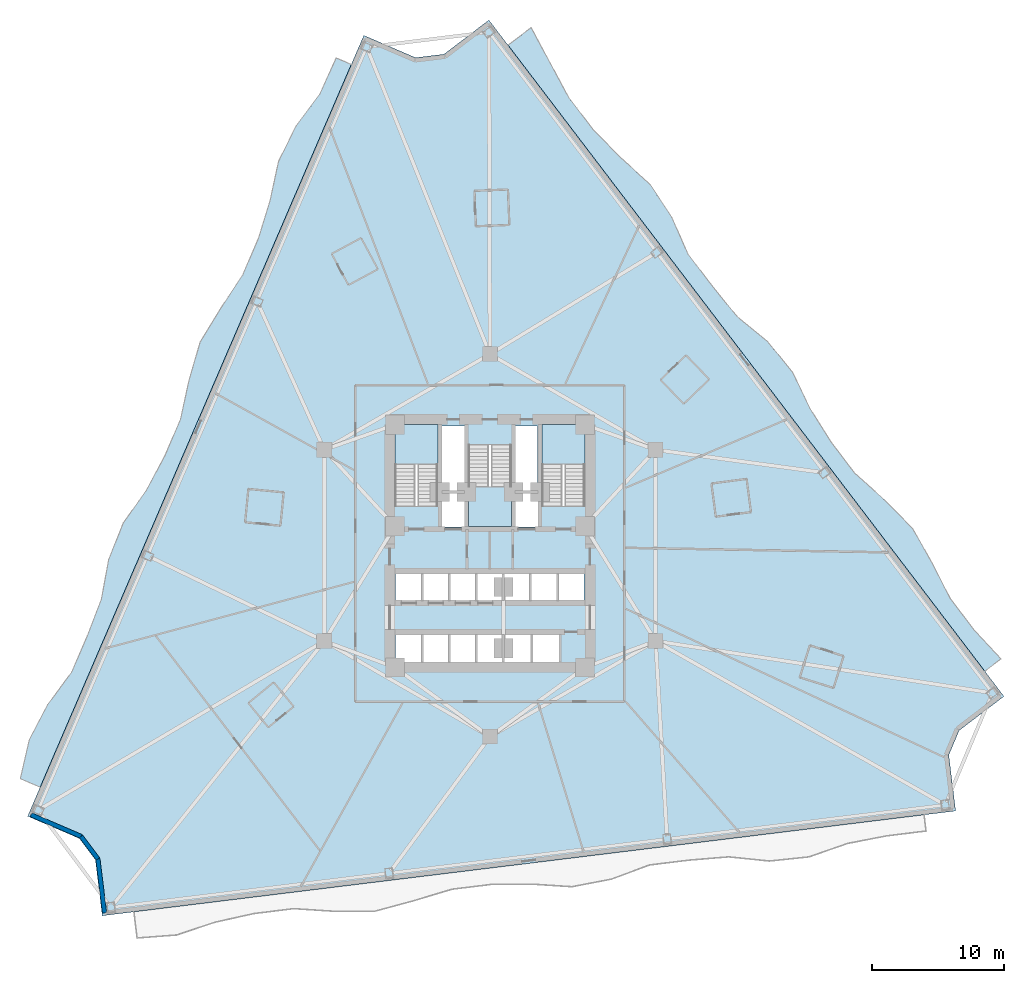
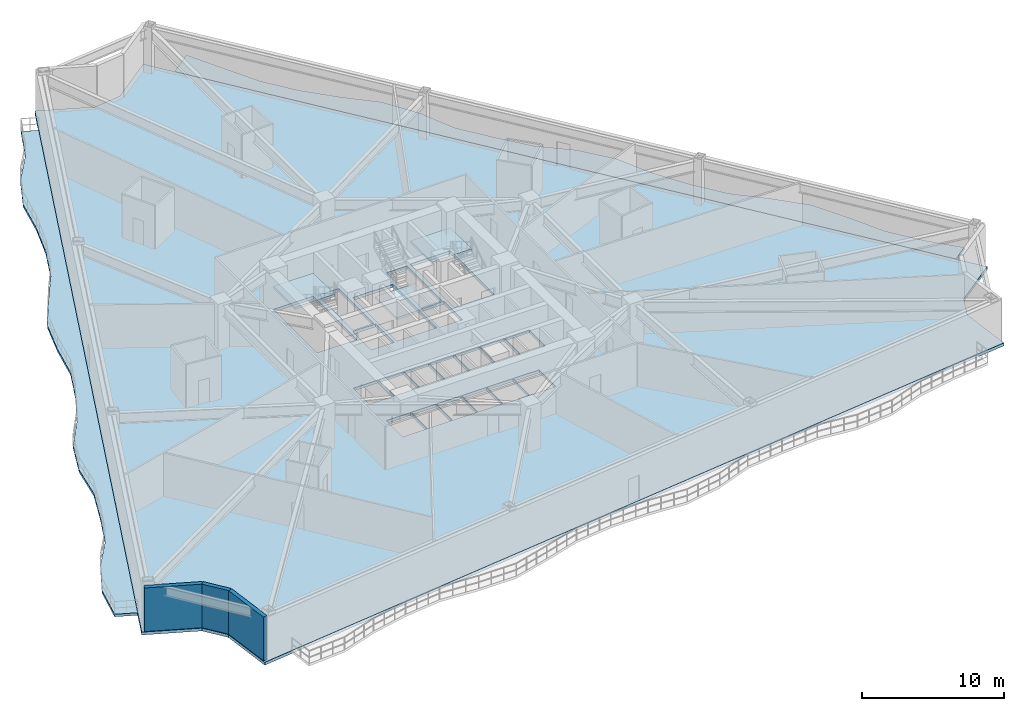
# One storey, part 2 of 13: 6 slabs, 3 walls, 3 elements without a shape of their own.
"""IFC4 building model written with IfcOpenShell, lengths in metres."""

from ifc_helpers import new_model, si_unit, direction, frame, frame_2d, origin, place, context, subcontext, project, spatial, polyline, rectangle, outline, extrude, material, layer, layer_set, type_object, element, aggregate, save


model = new_model("IFC4")

# Units and contexts
model_context = context("Model", 3, precision=1e-05, world=origin(), true_north=direction((0.0, 1.0)))
body_context = subcontext(model_context, "Body", "Model", "MODEL_VIEW")
ifc_project = project(units=[si_unit("LENGTHUNIT", "METRE"), si_unit("AREAUNIT", "SQUARE_METRE"), si_unit("VOLUMEUNIT", "CUBIC_METRE"), si_unit("PLANEANGLEUNIT", "RADIAN"), si_unit("MASSUNIT", "GRAM", prefix="KILO")], contexts=[model_context])

# Site, building, storey
site_placement = place(None, origin())
site = spatial("IfcSite", under=ifc_project, at=site_placement, CompositionType="ELEMENT")
building_placement = place(site_placement, origin())
building = spatial("IfcBuilding", under=site, at=building_placement, Name="Apsidion Concourse Tower", CompositionType="ELEMENT")
storey_placement = place(building_placement, frame((0.0, 0.0, 67.0)))
storey = spatial("IfcBuildingStorey", under=building, at=storey_placement, Name="L14", CompositionType="ELEMENT", Elevation=67.0)

# Slabs
ifc_material_1 = material(Name="Concrete C50/60", Category="concrete")
ifc_layer_1 = layer(ifc_material_1, 0.219970703125)
ifc_layer_set_1 = layer_set([ifc_layer_1], Name="Concrete C50/60")
slab_type_1 = type_object("IfcSlabType", Name="SL-BAL-220", PredefinedType="FLOOR", material=ifc_layer_set_1)
slab_1_placement = place(storey_placement, frame((0.0, 0.0, -0.219970703125)))
element("IfcSlab", 1, at=slab_1_placement, inside=storey, type_object=slab_type_1, Name="L14 Face 1 Rippling Balcony Slab", PredefinedType="FLOOR", context=body_context, shape_type="SweptSolid", body=[
    extrude(outline(polyline([(-10.510986328125, 36.466796875), (-11.690673828125, 33.726806640625), (-12.8701171875, 30.987060546875), (-14.049560546875, 28.247314453125), (-15.22900390625, 25.50732421875), (-16.40869140625, 22.767578125), (-17.588134765625, 20.02783203125), (-18.767578125, 17.2880859375), (-19.947021484375, 14.548095703125), (-21.126708984375, 11.808349609375), (-22.30615234375, 9.068603515625), (-23.485595703125, 6.32861328125), (-24.6650390625, 3.5888671875), (-25.844482421875, 0.84912109375), (-27.024169921875, -1.890869140625), (-28.20361328125, -4.630615234375), (-29.383056640625, -7.370361328125), (-30.5625, -10.110107421875), (-31.7421875, -12.85009765625), (-32.921630859375, -15.58984375), (-34.10107421875, -18.32958984375), (-35.6044921875, -17.682373046875), (-34.92138671875, -14.72900390625), (-33.533935546875, -12.07861328125), (-31.710693359375, -9.615966796875), (-30.53125, -6.876220703125), (-29.455322265625, -4.091796875), (-28.90771484375, -1.079833984375), (-27.7978515625, 1.68994140625), (-26.040771484375, 4.18115234375), (-24.6337890625, 6.822998046875), (-23.4541015625, 9.562744140625), (-22.8115234375, 12.53369140625), (-21.966796875, 15.417724609375), (-20.3935546875, 17.988037109375), (-18.736083984375, 20.522216796875), (-17.556640625, 23.261962890625), (-16.668701171875, 26.127197265625), (-16.029296875, 29.099609375), (-14.710205078125, 31.779296875), (-12.882080078125, 34.23974609375), (-11.6591796875, 36.9609375), (-10.510986328125, 36.466796875)])), origin(), (0.0, 0.0, 1.0), 0.219970703125),
])
slab_2_placement = place(storey_placement, frame((0.0, 0.0, -0.219970703125)))
element("IfcSlab", 2, at=slab_2_placement, inside=storey, type_object=slab_type_1, Name="L14 Face 3 Rippling Balcony Slab", PredefinedType="FLOOR", context=body_context, shape_type="SweptSolid", body=[
    extrude(outline(polyline([(37.5224609375, -9.535400390625), (35.715087890625, -7.162353515625), (33.907958984375, -4.789306640625), (32.1005859375, -2.416015625), (30.29345703125, -0.04296875), (28.486083984375, 2.330078125), (26.6787109375, 4.703125), (24.87158203125, 7.076171875), (23.064208984375, 9.44921875), (21.2568359375, 11.822509765625), (19.44970703125, 14.195556640625), (17.642333984375, 16.568603515625), (15.835205078125, 18.941650390625), (14.02783203125, 21.314697265625), (12.220458984375, 23.687744140625), (10.4130859375, 26.060791015625), (8.60595703125, 28.43408203125), (6.798583984375, 30.80712890625), (4.991455078125, 33.18017578125), (3.18408203125, 35.55322265625), (1.376708984375, 37.926513671875), (3.122314453125, 39.255859375), (4.552734375, 36.595703125), (5.98583984375, 33.9375), (7.793212890625, 31.564453125), (9.894287109375, 29.415283203125), (12.1416015625, 27.377197265625), (13.783447265625, 24.878173828125), (15.022216796875, 22.072021484375), (16.82958984375, 19.698974609375), (18.71337890625, 17.38427734375), (21.072021484375, 15.43115234375), (22.955078125, 13.115478515625), (24.26953125, 10.3671875), (25.865966796875, 7.83349609375), (27.673095703125, 5.46044921875), (29.93310546875, 3.431884765625), (32.04345703125, 1.289794921875), (33.52197265625, -1.33349609375), (34.90234375, -4.03173828125), (36.709716796875, -6.40478515625), (38.755615234375, -8.59619140625), (37.5224609375, -9.535400390625)])), origin(), (0.0, 0.0, 1.0), 0.219970703125),
])
ifc_layer_2 = layer(ifc_material_1, 0.25)
ifc_layer_set_2 = layer_set([ifc_layer_2], Name="Concrete C50/60")
slab_type_2 = type_object("IfcSlabType", Name="SL-FLR-250", PredefinedType="FLOOR", material=ifc_layer_set_2)
slab_3_placement = place(storey_placement, frame((0.0, 0.0, -0.25)))
element("IfcSlab", 3, at=slab_3_placement, inside=storey, type_object=slab_type_2, Name="L14 Structural Floor Slab", PredefinedType="FLOOR", context=body_context, shape_type="SweptSolid", body=[
    extrude(outline(polyline([(-0.077392578125, 39.835693359375), (-3.478271484375, 37.24560546875), (-5.6357421875, 36.980712890625), (-9.56201171875, 38.671142578125), (-35.050048828125, -20.5341796875), (-31.123779296875, -22.224365234375), (-29.914794921875, -23.83740234375), (-29.393798828125, -28.080078125), (35.313720703125, -20.13525390625), (34.792724609375, -15.89208984375), (35.57568359375, -14.03466796875), (38.9765625, -11.444580078125), (-0.077392578125, 39.835693359375)]), holes=[polyline([(-3.949951171875, 3.0), (-3.949951171875, 9.14990234375), (-7.199951171875, 9.14990234375), (-7.199951171875, 3.0), (-3.949951171875, 3.0)]), polyline([(7.199951171875, 3.0), (7.199951171875, 9.14990234375), (3.949951171875, 9.14990234375), (3.949951171875, 3.0), (7.199951171875, 3.0)]), polyline([(-1.625, 7.60009765625), (-1.625, 1.449951171875), (1.625, 1.449951171875), (1.625, 7.60009765625), (-1.625, 7.60009765625)]), polyline([(-7.14501953125, -4.300048828125), (-5.155029296875, -4.300048828125), (-5.155029296875, -2.050048828125), (-7.14501953125, -2.050048828125), (-7.14501953125, -4.300048828125)]), polyline([(-5.094970703125, -4.300048828125), (-3.10498046875, -4.300048828125), (-3.10498046875, -2.050048828125), (-5.094970703125, -2.050048828125), (-5.094970703125, -4.300048828125)]), polyline([(-3.044921875, -4.300048828125), (-1.054931640625, -4.300048828125), (-1.054931640625, -2.050048828125), (-3.044921875, -2.050048828125), (-3.044921875, -4.300048828125)]), polyline([(-0.9951171875, -4.300048828125), (0.9951171875, -4.300048828125), (0.9951171875, -2.050048828125), (-0.9951171875, -2.050048828125), (-0.9951171875, -4.300048828125)]), polyline([(1.054931640625, -4.300048828125), (3.044921875, -4.300048828125), (3.044921875, -2.050048828125), (1.054931640625, -2.050048828125), (1.054931640625, -4.300048828125)]), polyline([(3.10498046875, -4.300048828125), (5.094970703125, -4.300048828125), (5.094970703125, -2.050048828125), (3.10498046875, -2.050048828125), (3.10498046875, -4.300048828125)]), polyline([(5.155029296875, -4.300048828125), (7.14501953125, -4.300048828125), (7.14501953125, -2.050048828125), (5.155029296875, -2.050048828125), (5.155029296875, -4.300048828125)]), polyline([(-7.14501953125, -8.949951171875), (-5.155029296875, -8.949951171875), (-5.155029296875, -6.64990234375), (-7.14501953125, -6.64990234375), (-7.14501953125, -8.949951171875)]), polyline([(-5.094970703125, -8.949951171875), (-3.10498046875, -8.949951171875), (-3.10498046875, -6.64990234375), (-5.094970703125, -6.64990234375), (-5.094970703125, -8.949951171875)]), polyline([(-3.044921875, -8.949951171875), (-1.054931640625, -8.949951171875), (-1.054931640625, -6.64990234375), (-3.044921875, -6.64990234375), (-3.044921875, -8.949951171875)]), polyline([(-0.9951171875, -8.949951171875), (0.9951171875, -8.949951171875), (0.9951171875, -6.64990234375), (-0.9951171875, -6.64990234375), (-0.9951171875, -8.949951171875)]), polyline([(1.044921875, -9.0), (3.155029296875, -9.0), (3.155029296875, -6.64990234375), (1.044921875, -6.64990234375), (1.044921875, -9.0)]), polyline([(3.195068359375, -9.0), (5.304931640625, -9.0), (5.304931640625, -6.64990234375), (3.195068359375, -6.64990234375), (3.195068359375, -9.0)]), polyline([(-3.7099609375, 1.39990234375), (-1.85009765625, 1.39990234375), (-1.85009765625, 4.0), (-3.7099609375, 4.0), (-3.7099609375, 1.39990234375)]), polyline([(1.85009765625, 1.39990234375), (3.7099609375, 1.39990234375), (3.7099609375, 4.0), (1.85009765625, 4.0), (1.85009765625, 1.39990234375)]), polyline([(-3.6201171875, 4.14990234375), (-1.93994140625, 4.14990234375), (-1.93994140625, 9.050048828125), (-3.6201171875, 9.050048828125), (-3.6201171875, 4.14990234375)]), polyline([(1.93994140625, 4.14990234375), (3.6201171875, 4.14990234375), (3.6201171875, 9.050048828125), (1.93994140625, 9.050048828125), (1.93994140625, 4.14990234375)])]), origin(), (0.0, 0.0, 1.0), 0.25),
])

# Stair, slab
ifc_material_2 = material(Name="Precast concrete C40/50", Category="concrete")
stair_type = type_object("IfcStairType", Name="ST-DL-1550", PredefinedType="HALF_TURN_STAIR", material=ifc_material_2)
stair_1_placement = place(storey_placement, origin())
stair_1 = element("IfcStair", 4, at=stair_1_placement, inside=storey, type_object=stair_type, Name="L14 Protected Core Exit Stair ST1", PredefinedType="HALF_TURN_STAIR")
ifc_layer_3 = layer(ifc_material_1, 0.199951171875)
ifc_layer_set_3 = layer_set([ifc_layer_3], Name="Concrete C50/60")
slab_type_3 = type_object("IfcSlabType", Name="SL-ST-LAND-200", PredefinedType="LANDING", material=ifc_layer_set_3)
slab_4_placement = place(storey_placement, frame((0.0, 0.0, 1.800048828125)))
slab_4 = element("IfcSlab", 5, at=slab_4_placement, type_object=slab_type_3, Name="ST1 landing 1", PredefinedType="LANDING", context=body_context, shape_type="SweptSolid", body=[
    extrude(outline(polyline([(-3.949951171875, 6.135009765625), (-3.949951171875, 9.14990234375), (-7.199951171875, 9.14990234375), (-7.199951171875, 6.135009765625), (-3.949951171875, 6.135009765625)])), origin(), (0.0, 0.0, 1.0), 0.199951171875),
])
aggregate(stair_1, [slab_4])

stair_2_placement = place(storey_placement, origin())
stair_2 = element("IfcStair", 6, at=stair_2_placement, inside=storey, type_object=stair_type, Name="L14 Protected Core Exit Stair ST2", PredefinedType="HALF_TURN_STAIR")
slab_5_placement = place(storey_placement, frame((0.0, 0.0, 1.800048828125)))
slab_5 = element("IfcSlab", 7, at=slab_5_placement, type_object=slab_type_3, Name="ST2 landing 1", PredefinedType="LANDING", context=body_context, shape_type="SweptSolid", body=[
    extrude(outline(polyline([(7.199951171875, 6.135009765625), (7.199951171875, 9.14990234375), (3.949951171875, 9.14990234375), (3.949951171875, 6.135009765625), (7.199951171875, 6.135009765625)])), origin(), (0.0, 0.0, 1.0), 0.199951171875),
])
aggregate(stair_2, [slab_5])

stair_3_placement = place(storey_placement, origin())
stair_3 = element("IfcStair", 8, at=stair_3_placement, inside=storey, type_object=stair_type, Name="L14 Protected Core Exit Stair ST3", PredefinedType="HALF_TURN_STAIR")
slab_6_placement = place(storey_placement, frame((0.0, 0.0, 1.800048828125)))
slab_6 = element("IfcSlab", 9, at=slab_6_placement, type_object=slab_type_3, Name="ST3 landing 1", PredefinedType="LANDING", context=body_context, shape_type="SweptSolid", body=[
    extrude(outline(polyline([(-1.625, 4.465087890625), (-1.625, 1.449951171875), (1.625, 1.449951171875), (1.625, 4.465087890625), (-1.625, 4.465087890625)])), origin(), (0.0, 0.0, 1.0), 0.199951171875),
])
aggregate(stair_3, [slab_6])

# Walls
ifc_layer_4 = layer(ifc_material_2, 0.320068359375)
ifc_layer_set_4 = layer_set([ifc_layer_4], Name="Precast concrete C40/50")
wall_type = type_object("IfcWallType", Name="WL-EXT-320", PredefinedType="STANDARD", material=ifc_layer_set_4)
wall_1_placement = place(storey_placement, frame((-29.219482421875, -27.857421875, 0.0), z_axis=(0.0, 0.0, 1.0), x_axis=(-0.121887213021, 0.992543957365, 0.0)))
element("IfcWall", 10, at=wall_1_placement, inside=storey, type_object=wall_type, Name="L14 Precast Stone Facade Wall 06", PredefinedType="STANDARD", context=body_context, shape_type="SweptSolid", body=[
    extrude(rectangle(XDim=4.128173828125, YDim=0.320068359375, at=frame_2d((2.06396484375, 0.0))), origin(), (0.0, 0.0, 1.0), 3.75),
])
wall_2_placement = place(storey_placement, frame((-29.72265625, -23.760009765625, 0.0), z_axis=(0.0, 0.0, 1.0), x_axis=(-0.59977911486, 0.800165616218, 0.0)))
element("IfcWall", 11, at=wall_2_placement, inside=storey, type_object=wall_type, Name="L14 Precast Stone Facade Wall 07", PredefinedType="STANDARD", context=body_context, shape_type="SweptSolid", body=[
    extrude(rectangle(XDim=2.122314453125, YDim=0.320068359375, at=frame_2d((1.06103515625, 0.0))), origin(), (0.0, 0.0, 1.0), 3.75),
])
wall_3_placement = place(storey_placement, frame((-30.99560546875, -22.061767578125, 0.0), z_axis=(0.0, 0.0, 1.0), x_axis=(-0.918504494871, 0.395410537165, 0.0)))
element("IfcWall", 12, at=wall_3_placement, inside=storey, type_object=wall_type, Name="L14 Precast Stone Facade Wall 08", PredefinedType="STANDARD", context=body_context, shape_type="SweptSolid", body=[
    extrude(rectangle(XDim=4.128173828125, YDim=0.320068359375, at=frame_2d((2.06396484375, 0.0))), origin(), (0.0, 0.0, 1.0), 3.75),
])

save(model, "model.ifc")
